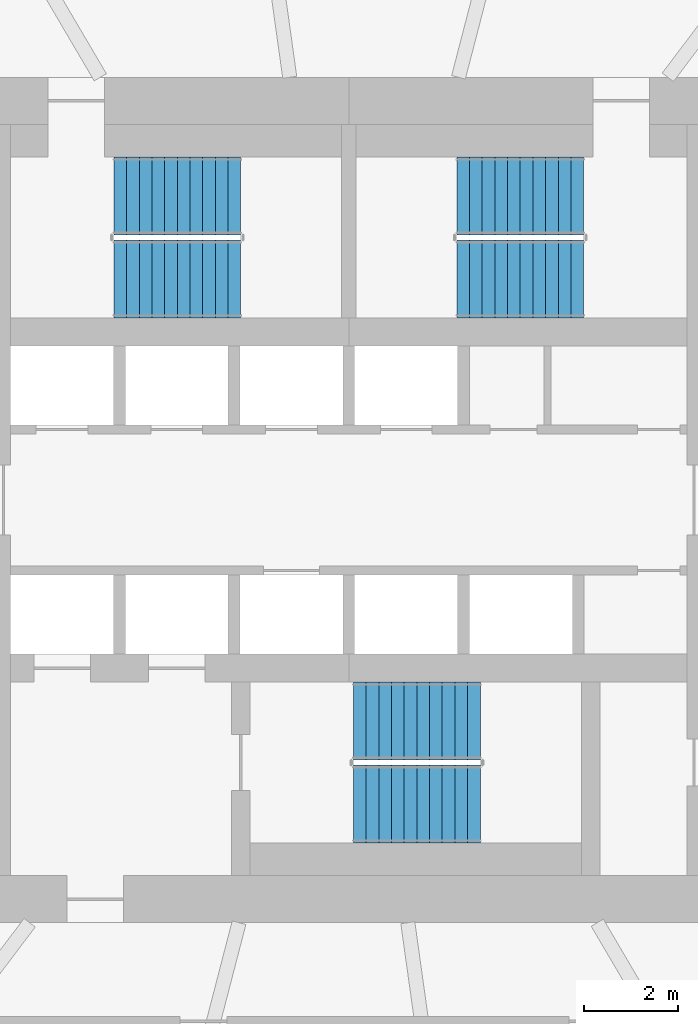
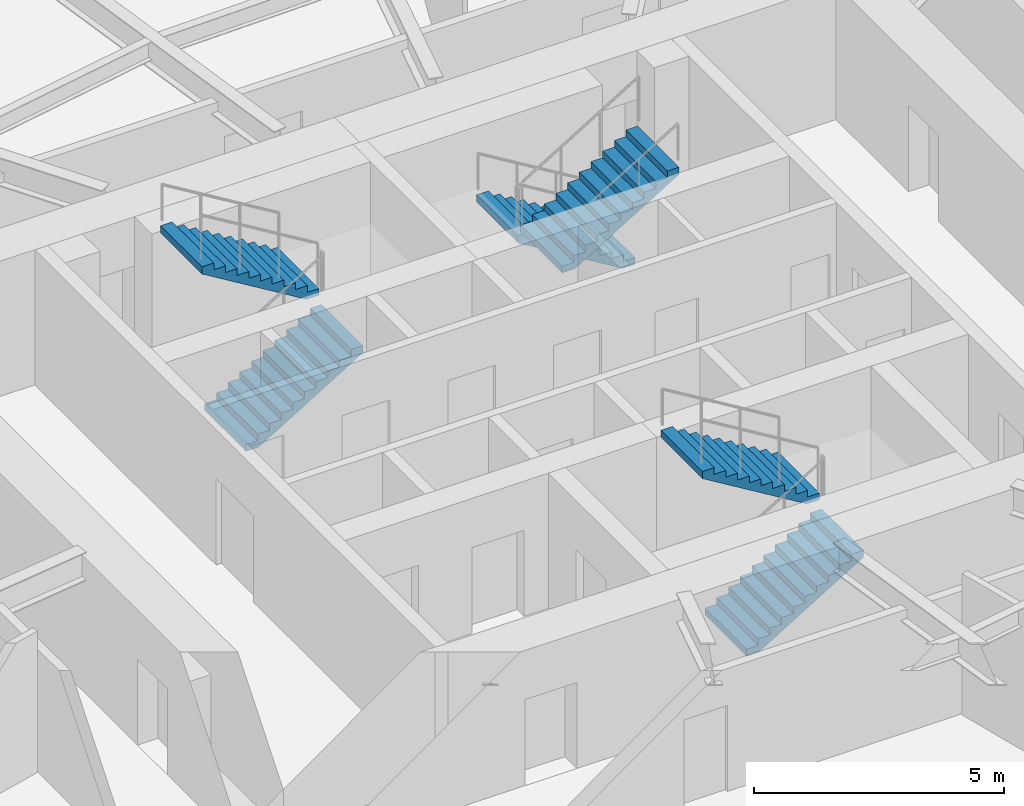
# One storey, part 11 of 17: 6 stair flights, 3 elements without a shape of their own.
"""IFC4 building model written with IfcOpenShell, lengths in metres."""

import ifcopenshell
import ifcopenshell.guid

model = None  # the IFC model being written
_history = None  # IfcOwnerHistory: only IFC2X3 demands one
_inside = {}  # id of a spatial element -> (the spatial element, [elements in it])
_under = {}  # id of a project, library or spatial element -> (it, [spatial elements below it])
_declared = {}  # id of a project -> (the project, [libraries it declares])
_typed = {}  # id of a type object -> (the type object, [elements of that type])
_made_of = {}  # id of a material, layer set ... -> (it, [elements and type objects made of it])


def new_model(schema):
    """Start an empty IFC model of exactly this schema.

    Asked for "IFC4X3", IfcOpenShell would pick the latest addendum, in which some entities
    have other attributes; the version numbers below select the first issue.
    IFC2X3 requires an IfcOwnerHistory on every rooted entity: one is made here for all.
    """
    global model, _history
    if schema == "IFC4X3":
        model = ifcopenshell.file(schema_version=(4, 3, 0, 0))
    else:
        model = ifcopenshell.file(schema=schema)
    _inside.clear()
    _under.clear()
    _declared.clear()
    _typed.clear()
    _made_of.clear()
    _history = None
    if model.schema == "IFC2X3":
        org = make("IfcOrganization", Name="unknown")
        user = make(
            "IfcPersonAndOrganization",
            ThePerson=make("IfcPerson", FamilyName="unknown"),
            TheOrganization=org,
        )
        app = make(
            "IfcApplication",
            ApplicationDeveloper=org,
            Version="unknown",
            ApplicationFullName="unknown",
            ApplicationIdentifier="unknown",
        )
        _history = make(
            "IfcOwnerHistory",
            OwningUser=user,
            OwningApplication=app,
            ChangeAction="ADDED",
            CreationDate=0,
        )
    return model


def make(cls, **values):
    """One entity of the class cls with the attributes given. An attribute that is None is left unset."""
    return model.create_entity(
        cls, **{name: value for name, value in values.items() if value is not None}
    )


def rooted(cls, **values):
    """An entity with a GlobalId (a new one), such as an element, a storey or a relation."""
    return make(cls, GlobalId=ifcopenshell.guid.new(), OwnerHistory=_history, **values)


def si_unit(unit_type, name, prefix=None):
    """IfcSIUnit, for example si_unit("LENGTHUNIT", "METRE", prefix="MILLI")."""
    return make("IfcSIUnit", UnitType=unit_type, Prefix=prefix, Name=name)


def assignment(units):
    """IfcUnitAssignment: the units of a project."""
    return None if units is None else make("IfcUnitAssignment", Units=units)


def point(xyz):
    """IfcCartesianPoint."""
    return None if xyz is None else make("IfcCartesianPoint", Coordinates=xyz)


def direction(xyz):
    """IfcDirection."""
    return None if xyz is None else make("IfcDirection", DirectionRatios=xyz)


def frame(location, z_axis=None, x_axis=None):
    """IfcAxis2Placement3D, a coordinate frame: its origin and axes. An axis left out is left unset."""
    return make(
        "IfcAxis2Placement3D",
        Location=point(location),
        Axis=direction(z_axis),
        RefDirection=direction(x_axis),
    )


def origin():
    """The frame at (0, 0, 0) with its axes left unset."""
    return frame((0.0, 0.0, 0.0))


def place(relative_to, where):
    """IfcLocalPlacement: puts the frame where relative to a parent placement (None: the world)."""
    return make(
        "IfcLocalPlacement", PlacementRelTo=relative_to, RelativePlacement=where
    )


def context(
    kind, dimensions, precision=None, world=None, true_north=None, identifier=None
):
    """IfcGeometricRepresentationContext, for example the 3D "Model" context."""
    return make(
        "IfcGeometricRepresentationContext",
        ContextIdentifier=identifier,
        ContextType=kind,
        CoordinateSpaceDimension=dimensions,
        Precision=precision,
        WorldCoordinateSystem=world,
        TrueNorth=true_north,
    )


def subcontext(parent, identifier, kind, view, scale=None):
    """IfcGeometricRepresentationSubContext, for example "Body" below "Model"."""
    return make(
        "IfcGeometricRepresentationSubContext",
        ContextIdentifier=identifier,
        ContextType=kind,
        ParentContext=parent,
        TargetScale=scale,
        TargetView=view,
    )


def project(units=None, contexts=None):
    """IfcProject with its units and contexts."""
    return rooted(
        "IfcProject",
        Name="project",
        RepresentationContexts=contexts,
        UnitsInContext=assignment(units),
    )


def spatial(cls, under=None, at=None, **own):
    """A site, building, storey or space (cls), placed at a placement, below another one or the project."""
    s = rooted(cls, ObjectPlacement=at, **own)
    if under is not None:
        _under.setdefault(under.id(), (under, []))[1].append(s)
    return s


def polyline(points):
    """IfcPolyline through the points."""
    return make("IfcPolyline", Points=[point(p) for p in points])


def outline(outer, holes=None, kind="AREA"):
    """IfcArbitraryClosedProfileDef: a profile drawn as a closed curve; with holes, ...WithVoids."""
    if holes is None:
        return make("IfcArbitraryClosedProfileDef", ProfileType=kind, OuterCurve=outer)
    return make(
        "IfcArbitraryProfileDefWithVoids",
        ProfileType=kind,
        OuterCurve=outer,
        InnerCurves=holes,
    )


def extrude(swept, where, along, depth):
    """IfcExtrudedAreaSolid: the profile swept, set in the frame where, extruded along a direction by depth."""
    return make(
        "IfcExtrudedAreaSolid",
        SweptArea=swept,
        Position=where,
        ExtrudedDirection=direction(along),
        Depth=depth,
    )


def shape(context_of_items, identifier, shape_type, items):
    """IfcShapeRepresentation: the items that make up one representation, for example the "Body"."""
    return make(
        "IfcShapeRepresentation",
        ContextOfItems=context_of_items,
        RepresentationIdentifier=identifier,
        RepresentationType=shape_type,
        Items=items,
    )


def material(Name=None, Category=None):
    """IfcMaterial."""
    return make("IfcMaterial", Name=Name, Category=Category)


def made_of(thing, what):
    """Note that an element or type object is made of a material, layer set ...; save() writes the relation."""
    if what is not None:
        _made_of.setdefault(what.id(), (what, []))[1].append(thing)
    return thing


def type_object(cls, material=None, **own):
    """A type object (cls), such as IfcWallType, which elements share."""
    return made_of(rooted(cls, **own), material)


def element(
    cls,
    number,
    at=None,
    inside=None,
    cuts=None,
    type_object=None,
    material=None,
    context=None,
    identifier="Body",
    shape_type=None,
    held_by="IfcProductDefinitionShape",
    body=None,
    shapes=None,
    **own,
):
    """One element of the class cls, such as IfcWall. Its Tag is "e" and its number.

    at: its placement. inside: the storey or other place that contains it. cuts: it is an
    opening in that element (IfcRelVoidsElement). A single representation is given by context,
    identifier, shape_type and body (its items); several are given by shapes. held_by: the class
    of the entity that holds the representations. save() writes the other relations.
    """
    e = rooted(cls, Tag="e%d" % number, ObjectPlacement=at, **own)
    if body is not None:
        shapes = [shape(context, identifier, shape_type, body)]
    if shapes is not None:
        e.Representation = make(held_by, Representations=shapes)
    if inside is not None:
        _inside.setdefault(inside.id(), (inside, []))[1].append(e)
    if cuts is not None:
        rooted(
            "IfcRelVoidsElement", RelatingBuildingElement=cuts, RelatedOpeningElement=e
        )
    if type_object is not None:
        _typed.setdefault(type_object.id(), (type_object, []))[1].append(e)
    return made_of(e, material)


def aggregate(whole, parts):
    """IfcRelAggregates: a whole, such as a stair, and the parts it consists of."""
    return rooted("IfcRelAggregates", RelatingObject=whole, RelatedObjects=parts)


def save(model, path):
    """Write the relations noted so far, then the file.

    IfcRelAggregates (storeys below a building ...), IfcRelContainedInSpatialStructure (elements
    in a storey), IfcRelDefinesByType, IfcRelAssociatesMaterial and IfcRelDeclares: one each for
    every whole, place, type object, material and project.
    """
    for whole, parts in _under.values():
        aggregate(whole, parts)
    for where, things in _inside.values():
        rooted(
            "IfcRelContainedInSpatialStructure",
            RelatedElements=things,
            RelatingStructure=where,
        )
    for kind, things in _typed.values():
        rooted("IfcRelDefinesByType", RelatedObjects=things, RelatingType=kind)
    for what, things in _made_of.values():
        rooted("IfcRelAssociatesMaterial", RelatedObjects=things, RelatingMaterial=what)
    for by, libraries in _declared.values():
        rooted("IfcRelDeclares", RelatingContext=by, RelatedDefinitions=libraries)
    model.write(path)


model = new_model("IFC4")

# Units and contexts
model_context = context("Model", 3, precision=1e-05, world=origin(), true_north=direction((0.0, 1.0)))
body_context = subcontext(model_context, "Body", "Model", "MODEL_VIEW")
ifc_project = project(units=[si_unit("LENGTHUNIT", "METRE"), si_unit("AREAUNIT", "SQUARE_METRE"), si_unit("VOLUMEUNIT", "CUBIC_METRE"), si_unit("PLANEANGLEUNIT", "RADIAN"), si_unit("MASSUNIT", "GRAM", prefix="KILO")], contexts=[model_context])

# Site, building, storey
site_placement = place(None, origin())
site = spatial("IfcSite", under=ifc_project, at=site_placement, CompositionType="ELEMENT")
building_placement = place(site_placement, origin())
building = spatial("IfcBuilding", under=site, at=building_placement, Name="Vermilion Reach Broadcast Tower", CompositionType="ELEMENT")
storey_placement = place(building_placement, frame((0.0, 0.0, 92.199951171875)))
storey = spatial("IfcBuildingStorey", under=building, at=storey_placement, Name="L20", CompositionType="ELEMENT", Elevation=92.199951171875)

# Stair, stair flights
ifc_material_1 = material(Name="Concrete C40", Category="concrete")
stair_type = type_object("IfcStairType", Name="Exit stair RC 22 risers 164 mm", PredefinedType="HALF_TURN_STAIR", material=ifc_material_1)
placement = place(storey_placement, origin())
stair_1 = element("IfcStair", 1, at=placement, inside=storey, type_object=stair_type, Name="L20 Exit stair ST1", PredefinedType="HALF_TURN_STAIR")
ifc_material_2 = material(Name="Concrete C40", Category="concrete")
stair_flight_type = type_object("IfcStairFlightType", Name="Exit stair flight RC 11 risers", PredefinedType="STRAIGHT", material=ifc_material_2)
stair_flight_1_placement = place(storey_placement, frame((-11.0, 4.7099609375, 0.0), z_axis=(0.0, 0.0, 1.0), x_axis=(1.0, 0.0, 0.0)))
stair_flight_1 = element("IfcStairFlight", 2, at=stair_flight_1_placement, type_object=stair_flight_type, Name="ST1 flight 1", NumberOfRisers=11, NumberOfTreads=10, PredefinedType="STRAIGHT", RiserHeight=0.163636364, TreadLength=0.27, context=body_context, shape_type="SweptSolid", body=[
    extrude(outline(polyline([(0.0, 0.0), (0.0, 0.16357421875), (0.27001953125, 0.16357421875), (0.27001953125, 0.327392578125), (0.5400390625, 0.327392578125), (0.5400390625, 0.490966796875), (0.81005859375, 0.490966796875), (0.81005859375, 0.654541015625), (1.080078125, 0.654541015625), (1.080078125, 0.818115234375), (1.35009765625, 0.818115234375), (1.35009765625, 0.98193359375), (1.6201171875, 0.98193359375), (1.6201171875, 1.1455078125), (1.889892578125, 1.1455078125), (1.889892578125, 1.30908203125), (2.159912109375, 1.30908203125), (2.159912109375, 1.47265625), (2.429931640625, 1.47265625), (2.429931640625, 1.636474609375), (2.699951171875, 1.636474609375), (2.699951171875, 1.800048828125), (2.699951171875, 1.461181640625), (0.289306640625, 0.0), (0.0, 0.0)])), frame((0.0, 0.830078125, 0.0), z_axis=(0.0, -1.0, 0.0), x_axis=(1.0, 0.0, 0.0)), (0.0, 0.0, 1.0), 1.659912109375),
])
stair_flight_2_placement = place(storey_placement, frame((-8.300048828125, 6.469970703125, 1.800048828125), z_axis=(0.0, 0.0, 1.0), x_axis=(-1.0, 0.0, 0.0)))
stair_flight_2 = element("IfcStairFlight", 3, at=stair_flight_2_placement, type_object=stair_flight_type, Name="ST1 flight 2", NumberOfRisers=11, NumberOfTreads=10, PredefinedType="STRAIGHT", RiserHeight=0.163636364, TreadLength=0.27, context=body_context, shape_type="SweptSolid", body=[
    extrude(outline(polyline([(0.0, 0.0), (0.0, 0.16357421875), (0.27001953125, 0.16357421875), (0.27001953125, 0.327392578125), (0.5400390625, 0.327392578125), (0.5400390625, 0.490966796875), (0.81005859375, 0.490966796875), (0.81005859375, 0.654541015625), (1.080078125, 0.654541015625), (1.080078125, 0.818115234375), (1.35009765625, 0.818115234375), (1.35009765625, 0.98193359375), (1.6201171875, 0.98193359375), (1.6201171875, 1.1455078125), (1.889892578125, 1.1455078125), (1.889892578125, 1.30908203125), (2.159912109375, 1.30908203125), (2.159912109375, 1.47265625), (2.429931640625, 1.47265625), (2.429931640625, 1.636474609375), (2.699951171875, 1.636474609375), (2.699951171875, 1.800048828125), (2.699951171875, 1.461181640625), (0.289306640625, 0.0), (0.0, 0.0)])), frame((0.0, 0.830078125, 0.0), z_axis=(0.0, -1.0, 0.0), x_axis=(1.0, 0.0, 0.0)), (0.0, 0.0, 1.0), 1.659912109375),
])
aggregate(stair_1, [stair_flight_1, stair_flight_2])

stair_2 = element("IfcStair", 4, at=placement, inside=storey, type_object=stair_type, Name="L20 Exit stair ST2", PredefinedType="HALF_TURN_STAIR")
stair_flight_3_placement = place(storey_placement, frame((-1.0, 6.469970703125, 0.0), z_axis=(0.0, 0.0, 1.0), x_axis=(-1.0, 0.0, 0.0)))
stair_flight_3 = element("IfcStairFlight", 5, at=stair_flight_3_placement, type_object=stair_flight_type, Name="ST2 flight 1", NumberOfRisers=11, NumberOfTreads=10, PredefinedType="STRAIGHT", RiserHeight=0.163636364, TreadLength=0.27, context=body_context, shape_type="SweptSolid", body=[
    extrude(outline(polyline([(0.0, 0.0), (0.0, 0.16357421875), (0.27001953125, 0.16357421875), (0.27001953125, 0.327392578125), (0.5400390625, 0.327392578125), (0.5400390625, 0.490966796875), (0.81005859375, 0.490966796875), (0.81005859375, 0.654541015625), (1.080078125, 0.654541015625), (1.080078125, 0.818115234375), (1.35009765625, 0.818115234375), (1.35009765625, 0.98193359375), (1.6201171875, 0.98193359375), (1.6201171875, 1.1455078125), (1.889892578125, 1.1455078125), (1.889892578125, 1.30908203125), (2.159912109375, 1.30908203125), (2.159912109375, 1.47265625), (2.429931640625, 1.47265625), (2.429931640625, 1.636474609375), (2.699951171875, 1.636474609375), (2.699951171875, 1.800048828125), (2.699951171875, 1.461181640625), (0.289306640625, 0.0), (0.0, 0.0)])), frame((0.0, 0.830078125, 0.0), z_axis=(0.0, -1.0, 0.0), x_axis=(1.0, 0.0, 0.0)), (0.0, 0.0, 1.0), 1.659912109375),
])
stair_flight_4_placement = place(storey_placement, frame((-3.699951171875, 4.7099609375, 1.800048828125), z_axis=(0.0, 0.0, 1.0), x_axis=(1.0, 0.0, 0.0)))
stair_flight_4 = element("IfcStairFlight", 6, at=stair_flight_4_placement, type_object=stair_flight_type, Name="ST2 flight 2", NumberOfRisers=11, NumberOfTreads=10, PredefinedType="STRAIGHT", RiserHeight=0.163636364, TreadLength=0.27, context=body_context, shape_type="SweptSolid", body=[
    extrude(outline(polyline([(0.0, 0.0), (0.0, 0.16357421875), (0.27001953125, 0.16357421875), (0.27001953125, 0.327392578125), (0.5400390625, 0.327392578125), (0.5400390625, 0.490966796875), (0.81005859375, 0.490966796875), (0.81005859375, 0.654541015625), (1.080078125, 0.654541015625), (1.080078125, 0.818115234375), (1.35009765625, 0.818115234375), (1.35009765625, 0.98193359375), (1.6201171875, 0.98193359375), (1.6201171875, 1.1455078125), (1.889892578125, 1.1455078125), (1.889892578125, 1.30908203125), (2.159912109375, 1.30908203125), (2.159912109375, 1.47265625), (2.429931640625, 1.47265625), (2.429931640625, 1.636474609375), (2.699951171875, 1.636474609375), (2.699951171875, 1.800048828125), (2.699951171875, 1.461181640625), (0.289306640625, 0.0), (0.0, 0.0)])), frame((0.0, 0.830078125, 0.0), z_axis=(0.0, -1.0, 0.0), x_axis=(1.0, 0.0, 0.0)), (0.0, 0.0, 1.0), 1.659912109375),
])
aggregate(stair_2, [stair_flight_3, stair_flight_4])

stair_3 = element("IfcStair", 7, at=placement, inside=storey, type_object=stair_type, Name="L20 Exit stair ST3", PredefinedType="HALF_TURN_STAIR")
stair_flight_5_placement = place(storey_placement, frame((-5.89990234375, -6.469970703125, 0.0), z_axis=(0.0, 0.0, 1.0), x_axis=(1.0, 0.0, 0.0)))
stair_flight_5 = element("IfcStairFlight", 8, at=stair_flight_5_placement, type_object=stair_flight_type, Name="ST3 flight 1", NumberOfRisers=11, NumberOfTreads=10, PredefinedType="STRAIGHT", RiserHeight=0.163636364, TreadLength=0.27, context=body_context, shape_type="SweptSolid", body=[
    extrude(outline(polyline([(0.0, 0.0), (0.0, 0.16357421875), (0.27001953125, 0.16357421875), (0.27001953125, 0.327392578125), (0.5400390625, 0.327392578125), (0.5400390625, 0.490966796875), (0.81005859375, 0.490966796875), (0.81005859375, 0.654541015625), (1.080078125, 0.654541015625), (1.080078125, 0.818115234375), (1.35009765625, 0.818115234375), (1.35009765625, 0.98193359375), (1.6201171875, 0.98193359375), (1.6201171875, 1.1455078125), (1.889892578125, 1.1455078125), (1.889892578125, 1.30908203125), (2.159912109375, 1.30908203125), (2.159912109375, 1.47265625), (2.429931640625, 1.47265625), (2.429931640625, 1.636474609375), (2.699951171875, 1.636474609375), (2.699951171875, 1.800048828125), (2.699951171875, 1.461181640625), (0.289306640625, 0.0), (0.0, 0.0)])), frame((0.0, 0.830078125, 0.0), z_axis=(0.0, -1.0, 0.0), x_axis=(1.0, 0.0, 0.0)), (0.0, 0.0, 1.0), 1.659912109375),
])
stair_flight_6_placement = place(storey_placement, frame((-3.199951171875, -4.7099609375, 1.800048828125), z_axis=(0.0, 0.0, 1.0), x_axis=(-1.0, 0.0, 0.0)))
stair_flight_6 = element("IfcStairFlight", 9, at=stair_flight_6_placement, type_object=stair_flight_type, Name="ST3 flight 2", NumberOfRisers=11, NumberOfTreads=10, PredefinedType="STRAIGHT", RiserHeight=0.163636364, TreadLength=0.27, context=body_context, shape_type="SweptSolid", body=[
    extrude(outline(polyline([(0.0, 0.0), (0.0, 0.16357421875), (0.27001953125, 0.16357421875), (0.27001953125, 0.327392578125), (0.5400390625, 0.327392578125), (0.5400390625, 0.490966796875), (0.81005859375, 0.490966796875), (0.81005859375, 0.654541015625), (1.080078125, 0.654541015625), (1.080078125, 0.818115234375), (1.35009765625, 0.818115234375), (1.35009765625, 0.98193359375), (1.6201171875, 0.98193359375), (1.6201171875, 1.1455078125), (1.889892578125, 1.1455078125), (1.889892578125, 1.30908203125), (2.159912109375, 1.30908203125), (2.159912109375, 1.47265625), (2.429931640625, 1.47265625), (2.429931640625, 1.636474609375), (2.699951171875, 1.636474609375), (2.699951171875, 1.800048828125), (2.699951171875, 1.461181640625), (0.289306640625, 0.0), (0.0, 0.0)])), frame((0.0, 0.830078125, 0.0), z_axis=(0.0, -1.0, 0.0), x_axis=(1.0, 0.0, 0.0)), (0.0, 0.0, 1.0), 1.659912109375),
])
aggregate(stair_3, [stair_flight_5, stair_flight_6])

save(model, "model.ifc")
